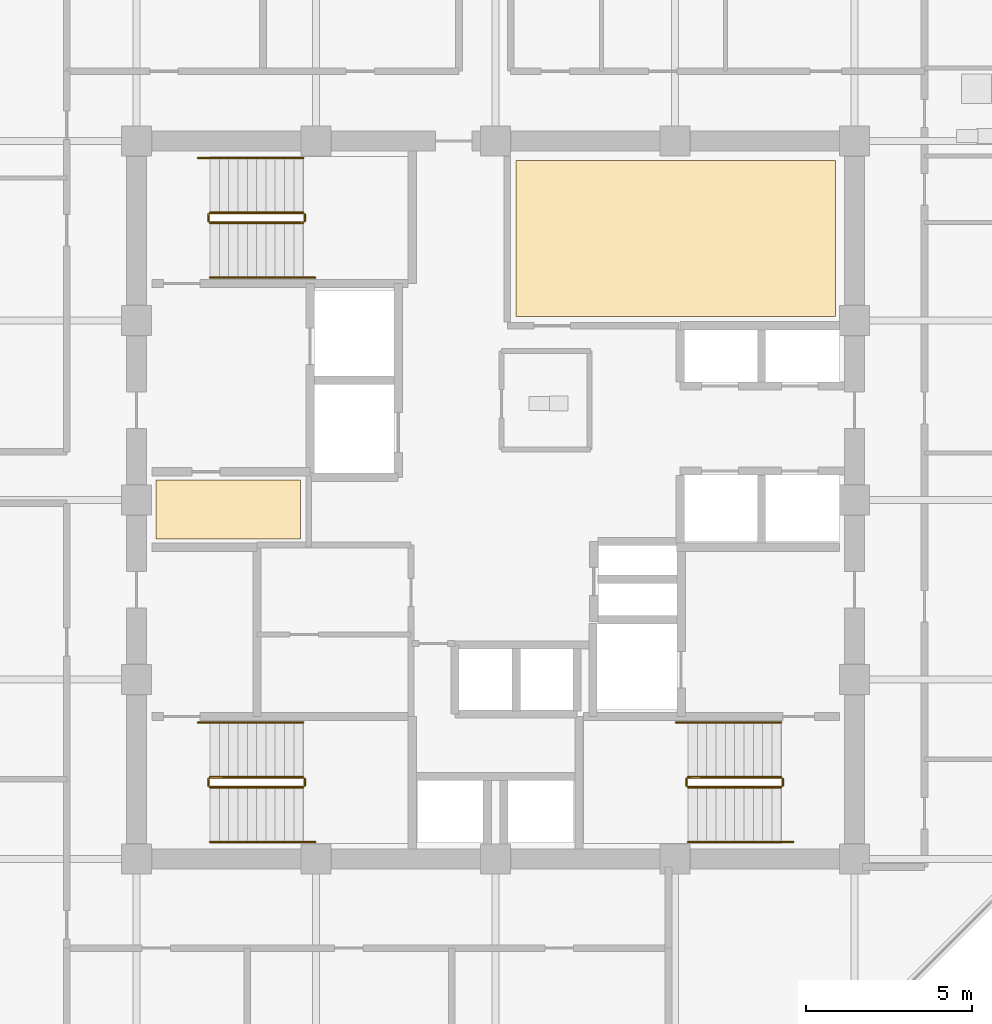
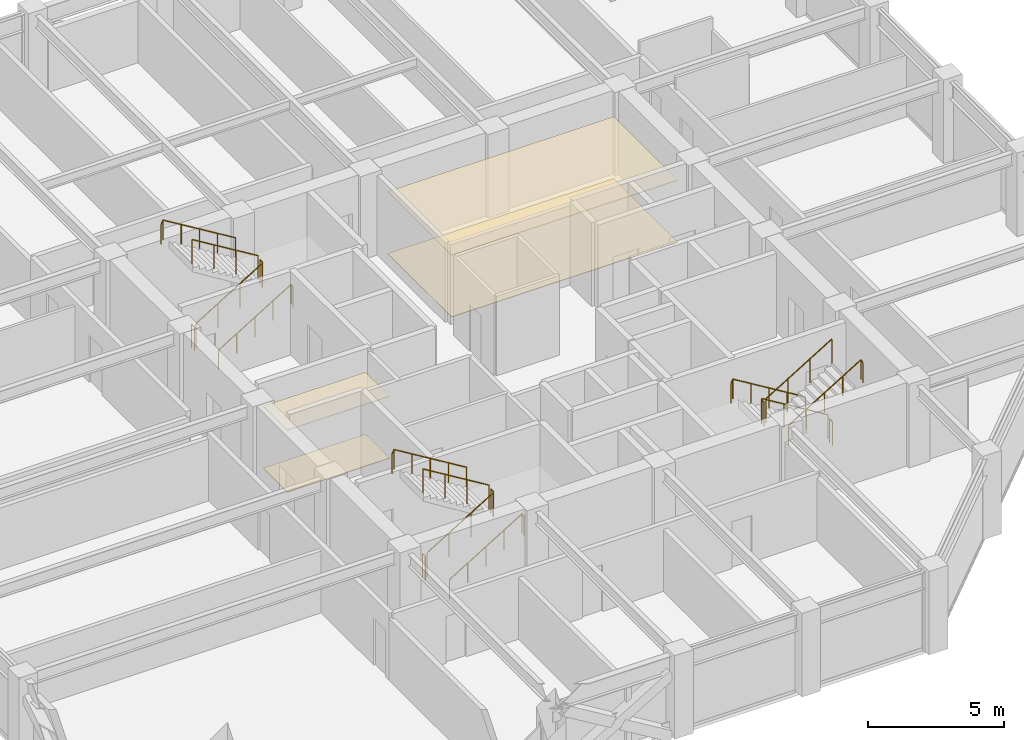
# One storey, part 31 of 32: 18 railings, 4 coverings.
"""IFC4 building model written with IfcOpenShell, lengths in metres."""

from ifc_helpers import new_model, si_unit, direction, frame, origin, origin_2d, place, context, subcontext, project, spatial, polyline, circle, outline, extrude, material, layer, layer_set, type_object, element, save


model = new_model("IFC4")

# Units and contexts
model_context = context("Model", 3, precision=1e-05, world=origin(), true_north=direction((0.0, 1.0)))
body_context = subcontext(model_context, "Body", "Model", "MODEL_VIEW")
ifc_project = project(units=[si_unit("LENGTHUNIT", "METRE"), si_unit("AREAUNIT", "SQUARE_METRE"), si_unit("VOLUMEUNIT", "CUBIC_METRE"), si_unit("PLANEANGLEUNIT", "RADIAN"), si_unit("MASSUNIT", "GRAM", prefix="KILO")], contexts=[model_context])

# Site, building, storey
site_placement = place(None, origin())
site = spatial("IfcSite", under=ifc_project, at=site_placement, CompositionType="ELEMENT")
building_placement = place(site_placement, origin())
building = spatial("IfcBuilding", under=site, at=building_placement, Name="Surkhivell Harbour Commons", CompositionType="ELEMENT")
storey_placement = place(building_placement, frame((0.0, 0.0, 223.5)))
storey = spatial("IfcBuildingStorey", under=building, at=storey_placement, Name="L58", CompositionType="ELEMENT", Elevation=223.5)

# Coverings
ifc_material_1 = material(Name="Perforated acoustic mineral-fibre ceiling tile", Category="other")
ifc_layer_1 = layer(ifc_material_1, 0.02490234375)
ifc_layer_set_1 = layer_set([ifc_layer_1], Name="Perforated acoustic mineral-fibre ceiling tile")
covering_type_1 = type_object("IfcCoveringType", Name="COV-CEIL-AC", PredefinedType="CEILING", material=ifc_layer_set_1)
covering_1_placement = place(storey_placement, frame((0.0, 0.0, 2.77490234375)))
element("IfcCovering", 1, at=covering_1_placement, inside=storey, type_object=covering_type_1, Name="L58 Suspended Acoustic Ceiling 1", PredefinedType="CEILING", context=body_context, shape_type="SweptSolid", body=[
    extrude(outline(polyline([(-10.219970703125, -1.179931640625), (-5.8701171875, -1.179931640625), (-5.8701171875, 0.60009765625), (-10.219970703125, 0.60009765625), (-10.219970703125, -1.179931640625)])), origin(), (0.0, 0.0, 1.0), 0.025146484375),
])
ifc_material_2 = material(Name="Moisture-resistant gypsum acoustic ceiling board", Category="other")
ifc_layer_2 = layer(ifc_material_2, 0.030029296875)
ifc_layer_set_2 = layer_set([ifc_layer_2], Name="Moisture-resistant gypsum acoustic ceiling board")
covering_type_2 = type_object("IfcCoveringType", Name="COV-CEIL-GYP", PredefinedType="CEILING", material=ifc_layer_set_2)
covering_2_placement = place(storey_placement, frame((0.0, 0.0, 2.77001953125)))
element("IfcCovering", 2, at=covering_2_placement, inside=storey, type_object=covering_type_2, Name="L58 Suspended Acoustic Ceiling 2", PredefinedType="CEILING", context=body_context, shape_type="SweptSolid", body=[
    extrude(outline(polyline([(0.6201171875, 5.52001953125), (10.219970703125, 5.52001953125), (10.219970703125, 10.219970703125), (0.6201171875, 10.219970703125), (0.6201171875, 5.52001953125)])), origin(), (0.0, 0.0, 1.0), 0.030029296875),
])
ifc_material_3 = material(Name="Engineered acoustic oak timber flooring", Category="wood")
ifc_layer_3 = layer(ifc_material_3, 0.02001953125)
ifc_layer_set_3 = layer_set([ifc_layer_3], Name="Engineered acoustic oak timber flooring")
covering_type_3 = type_object("IfcCoveringType", Name="COV-FLR-TIM", PredefinedType="FLOORING", material=ifc_layer_set_3)
covering_3_placement = place(storey_placement, origin())
element("IfcCovering", 3, at=covering_3_placement, inside=storey, type_object=covering_type_3, Name="L58 Interior Floor Finish 1", PredefinedType="FLOORING", context=body_context, shape_type="SweptSolid", body=[
    extrude(outline(polyline([(-10.219970703125, -1.179931640625), (-5.8701171875, -1.179931640625), (-5.8701171875, 0.60009765625), (-10.219970703125, 0.60009765625), (-10.219970703125, -1.179931640625)])), origin(), (0.0, 0.0, 1.0), 0.02001953125),
])
covering_4_placement = place(storey_placement, origin())
element("IfcCovering", 4, at=covering_4_placement, inside=storey, type_object=covering_type_3, Name="L58 Interior Floor Finish 2", PredefinedType="FLOORING", context=body_context, shape_type="SweptSolid", body=[
    extrude(outline(polyline([(0.6201171875, 5.52001953125), (10.219970703125, 5.52001953125), (10.219970703125, 10.219970703125), (0.6201171875, 10.219970703125), (0.6201171875, 5.52001953125)])), origin(), (0.0, 0.0, 1.0), 0.02001953125),
])

# Railings
ifc_material_4 = material(Name="Galvanised and painted steel S355 guard rail", Category="steel")
railing_type_1 = type_object("IfcRailingType", Name="RAL-ST-GRD1100", PredefinedType="GUARDRAIL", material=ifc_material_4)
railing_1_placement = place(storey_placement, frame((-8.590087890625, 8.340087890625, 0.17041015625)))
element("IfcRailing", 5, at=railing_1_placement, inside=storey, type_object=railing_type_1, Name="L58 ST1 stair guard 1", PredefinedType="GUARDRAIL", context=body_context, shape_type="SweptSolid", body=[
    extrude(circle(Radius=0.02392578125, at=origin_2d()), frame((0.0, 0.0, 1.076171875), z_axis=(0.854169791009, 0.0, 0.51999420009), x_axis=(0.0, 1.0, 0.0)), (0.0, 0.0, 1.0), 3.278076171875),
    extrude(circle(Radius=0.02099609375, at=origin_2d()), origin(), (0.0, 0.0, 1.0), 1.052001953125),
    extrude(circle(Radius=0.02099609375, at=origin_2d()), frame((0.933349609375, 0.0, 0.568115234375)), (0.0, 0.0, 1.0), 1.052001953125),
    extrude(circle(Radius=0.02099609375, at=origin_2d()), frame((1.86669921875, 0.0, 1.136474609375)), (0.0, 0.0, 1.0), 1.052001953125),
    extrude(circle(Radius=0.02099609375, at=origin_2d()), frame((2.800048828125, 0.0, 1.70458984375)), (0.0, 0.0, 1.0), 1.052001953125),
])
railing_2_placement = place(storey_placement, frame((-5.739990234375, 8.389892578125, 1.875)))
element("IfcRailing", 6, at=railing_2_placement, inside=storey, type_object=railing_type_1, Name="L58 ST1 stair guard 2", PredefinedType="GUARDRAIL", context=body_context, shape_type="SweptSolid", body=[
    extrude(circle(Radius=0.02392578125, at=origin_2d()), frame((0.0, 0.0, 1.076171875), z_axis=(0.0, 1.0, 0.0), x_axis=(-1.0, 0.0, 0.0)), (0.0, 0.0, 1.0), 0.2001953125),
    extrude(circle(Radius=0.02099609375, at=origin_2d()), origin(), (0.0, 0.0, 1.0), 1.052001953125),
    extrude(circle(Radius=0.02099609375, at=origin_2d()), frame((0.0, 0.2001953125, 0.0)), (0.0, 0.0, 1.0), 1.052001953125),
])
railing_3_placement = place(storey_placement, frame((-5.7900390625, 8.639892578125, 2.04541015625)))
element("IfcRailing", 7, at=railing_3_placement, inside=storey, type_object=railing_type_1, Name="L58 ST1 stair guard 3", PredefinedType="GUARDRAIL", context=body_context, shape_type="SweptSolid", body=[
    extrude(circle(Radius=0.02392578125, at=origin_2d()), frame((0.0, 0.0, 1.076171875), z_axis=(-0.854169791009, 0.0, 0.51999420009), x_axis=(0.0, -1.0, 0.0)), (0.0, 0.0, 1.0), 3.278076171875),
    extrude(circle(Radius=0.02099609375, at=origin_2d()), origin(), (0.0, 0.0, 1.0), 1.052001953125),
    extrude(circle(Radius=0.02099609375, at=origin_2d()), frame((-0.933349609375, 0.0, 0.568115234375)), (0.0, 0.0, 1.0), 1.052001953125),
    extrude(circle(Radius=0.02099609375, at=origin_2d()), frame((-1.86669921875, 0.0, 1.136474609375)), (0.0, 0.0, 1.0), 1.052001953125),
    extrude(circle(Radius=0.02099609375, at=origin_2d()), frame((-2.800048828125, 0.0, 1.70458984375)), (0.0, 0.0, 1.0), 1.052001953125),
])
railing_4_placement = place(storey_placement, frame((-8.639892578125, 8.389892578125, 0.0)))
element("IfcRailing", 8, at=railing_4_placement, inside=storey, type_object=railing_type_1, Name="L58 ST1 stair guard 4", PredefinedType="GUARDRAIL", context=body_context, shape_type="SweptSolid", body=[
    extrude(circle(Radius=0.02392578125, at=origin_2d()), frame((0.0, 0.0, 1.076171875), z_axis=(0.0, 1.0, 0.0), x_axis=(-1.0, 0.0, 0.0)), (0.0, 0.0, 1.0), 0.2001953125),
    extrude(circle(Radius=0.02099609375, at=origin_2d()), origin(), (0.0, 0.0, 1.0), 1.052001953125),
    extrude(circle(Radius=0.02099609375, at=origin_2d()), frame((0.0, 0.2001953125, 0.0)), (0.0, 0.0, 1.0), 1.052001953125),
])
railing_5_placement = place(storey_placement, frame((8.590087890625, -8.340087890625, 0.17041015625)))
element("IfcRailing", 9, at=railing_5_placement, inside=storey, type_object=railing_type_1, Name="L58 ST2 stair guard 1", PredefinedType="GUARDRAIL", context=body_context, shape_type="SweptSolid", body=[
    extrude(circle(Radius=0.02392578125, at=origin_2d()), frame((0.0, 0.0, 1.076171875), z_axis=(-0.854169791009, 0.0, 0.51999420009), x_axis=(0.0, -1.0, 0.0)), (0.0, 0.0, 1.0), 3.278076171875),
    extrude(circle(Radius=0.02099609375, at=origin_2d()), origin(), (0.0, 0.0, 1.0), 1.052001953125),
    extrude(circle(Radius=0.02099609375, at=origin_2d()), frame((-0.933349609375, 0.0, 0.568115234375)), (0.0, 0.0, 1.0), 1.052001953125),
    extrude(circle(Radius=0.02099609375, at=origin_2d()), frame((-1.86669921875, 0.0, 1.136474609375)), (0.0, 0.0, 1.0), 1.052001953125),
    extrude(circle(Radius=0.02099609375, at=origin_2d()), frame((-2.800048828125, 0.0, 1.70458984375)), (0.0, 0.0, 1.0), 1.052001953125),
])
railing_6_placement = place(storey_placement, frame((5.739990234375, -8.389892578125, 1.875)))
element("IfcRailing", 10, at=railing_6_placement, inside=storey, type_object=railing_type_1, Name="L58 ST2 stair guard 2", PredefinedType="GUARDRAIL", context=body_context, shape_type="SweptSolid", body=[
    extrude(circle(Radius=0.02392578125, at=origin_2d()), frame((0.0, 0.0, 1.076171875), z_axis=(0.0, -1.0, 0.0), x_axis=(1.0, 0.0, 0.0)), (0.0, 0.0, 1.0), 0.2001953125),
    extrude(circle(Radius=0.02099609375, at=origin_2d()), origin(), (0.0, 0.0, 1.0), 1.052001953125),
    extrude(circle(Radius=0.02099609375, at=origin_2d()), frame((0.0, -0.2001953125, 0.0)), (0.0, 0.0, 1.0), 1.052001953125),
])
railing_7_placement = place(storey_placement, frame((5.7900390625, -8.639892578125, 2.04541015625)))
element("IfcRailing", 11, at=railing_7_placement, inside=storey, type_object=railing_type_1, Name="L58 ST2 stair guard 3", PredefinedType="GUARDRAIL", context=body_context, shape_type="SweptSolid", body=[
    extrude(circle(Radius=0.02392578125, at=origin_2d()), frame((0.0, 0.0, 1.076171875), z_axis=(0.854169791009, 0.0, 0.51999420009), x_axis=(0.0, 1.0, 0.0)), (0.0, 0.0, 1.0), 3.278076171875),
    extrude(circle(Radius=0.02099609375, at=origin_2d()), origin(), (0.0, 0.0, 1.0), 1.052001953125),
    extrude(circle(Radius=0.02099609375, at=origin_2d()), frame((0.933349609375, 0.0, 0.568115234375)), (0.0, 0.0, 1.0), 1.052001953125),
    extrude(circle(Radius=0.02099609375, at=origin_2d()), frame((1.86669921875, 0.0, 1.136474609375)), (0.0, 0.0, 1.0), 1.052001953125),
    extrude(circle(Radius=0.02099609375, at=origin_2d()), frame((2.800048828125, 0.0, 1.70458984375)), (0.0, 0.0, 1.0), 1.052001953125),
])
railing_8_placement = place(storey_placement, frame((8.639892578125, -8.389892578125, 0.0)))
element("IfcRailing", 12, at=railing_8_placement, inside=storey, type_object=railing_type_1, Name="L58 ST2 stair guard 4", PredefinedType="GUARDRAIL", context=body_context, shape_type="SweptSolid", body=[
    extrude(circle(Radius=0.02392578125, at=origin_2d()), frame((0.0, 0.0, 1.076171875), z_axis=(0.0, -1.0, 0.0), x_axis=(1.0, 0.0, 0.0)), (0.0, 0.0, 1.0), 0.2001953125),
    extrude(circle(Radius=0.02099609375, at=origin_2d()), origin(), (0.0, 0.0, 1.0), 1.052001953125),
    extrude(circle(Radius=0.02099609375, at=origin_2d()), frame((0.0, -0.2001953125, 0.0)), (0.0, 0.0, 1.0), 1.052001953125),
])
railing_9_placement = place(storey_placement, frame((-8.590087890625, -8.639892578125, 0.17041015625)))
element("IfcRailing", 13, at=railing_9_placement, inside=storey, type_object=railing_type_1, Name="L58 ST3 stair guard 1", PredefinedType="GUARDRAIL", context=body_context, shape_type="SweptSolid", body=[
    extrude(circle(Radius=0.02392578125, at=origin_2d()), frame((0.0, 0.0, 1.076171875), z_axis=(0.854169791009, 0.0, 0.51999420009), x_axis=(0.0, 1.0, 0.0)), (0.0, 0.0, 1.0), 3.278076171875),
    extrude(circle(Radius=0.02099609375, at=origin_2d()), origin(), (0.0, 0.0, 1.0), 1.052001953125),
    extrude(circle(Radius=0.02099609375, at=origin_2d()), frame((0.933349609375, 0.0, 0.568115234375)), (0.0, 0.0, 1.0), 1.052001953125),
    extrude(circle(Radius=0.02099609375, at=origin_2d()), frame((1.86669921875, 0.0, 1.136474609375)), (0.0, 0.0, 1.0), 1.052001953125),
    extrude(circle(Radius=0.02099609375, at=origin_2d()), frame((2.800048828125, 0.0, 1.70458984375)), (0.0, 0.0, 1.0), 1.052001953125),
])
railing_10_placement = place(storey_placement, frame((-5.739990234375, -8.590087890625, 1.875)))
element("IfcRailing", 14, at=railing_10_placement, inside=storey, type_object=railing_type_1, Name="L58 ST3 stair guard 2", PredefinedType="GUARDRAIL", context=body_context, shape_type="SweptSolid", body=[
    extrude(circle(Radius=0.02392578125, at=origin_2d()), frame((0.0, 0.0, 1.076171875), z_axis=(0.0, 1.0, 0.0), x_axis=(-1.0, 0.0, 0.0)), (0.0, 0.0, 1.0), 0.2001953125),
    extrude(circle(Radius=0.02099609375, at=origin_2d()), origin(), (0.0, 0.0, 1.0), 1.052001953125),
    extrude(circle(Radius=0.02099609375, at=origin_2d()), frame((0.0, 0.2001953125, 0.0)), (0.0, 0.0, 1.0), 1.052001953125),
])
railing_11_placement = place(storey_placement, frame((-5.7900390625, -8.340087890625, 2.04541015625)))
element("IfcRailing", 15, at=railing_11_placement, inside=storey, type_object=railing_type_1, Name="L58 ST3 stair guard 3", PredefinedType="GUARDRAIL", context=body_context, shape_type="SweptSolid", body=[
    extrude(circle(Radius=0.02392578125, at=origin_2d()), frame((0.0, 0.0, 1.076171875), z_axis=(-0.854169791009, 0.0, 0.51999420009), x_axis=(0.0, -1.0, 0.0)), (0.0, 0.0, 1.0), 3.278076171875),
    extrude(circle(Radius=0.02099609375, at=origin_2d()), origin(), (0.0, 0.0, 1.0), 1.052001953125),
    extrude(circle(Radius=0.02099609375, at=origin_2d()), frame((-0.933349609375, 0.0, 0.568115234375)), (0.0, 0.0, 1.0), 1.052001953125),
    extrude(circle(Radius=0.02099609375, at=origin_2d()), frame((-1.86669921875, 0.0, 1.136474609375)), (0.0, 0.0, 1.0), 1.052001953125),
    extrude(circle(Radius=0.02099609375, at=origin_2d()), frame((-2.800048828125, 0.0, 1.70458984375)), (0.0, 0.0, 1.0), 1.052001953125),
])
railing_12_placement = place(storey_placement, frame((-8.639892578125, -8.590087890625, 0.0)))
element("IfcRailing", 16, at=railing_12_placement, inside=storey, type_object=railing_type_1, Name="L58 ST3 stair guard 4", PredefinedType="GUARDRAIL", context=body_context, shape_type="SweptSolid", body=[
    extrude(circle(Radius=0.02392578125, at=origin_2d()), frame((0.0, 0.0, 1.076171875), z_axis=(0.0, 1.0, 0.0), x_axis=(-1.0, 0.0, 0.0)), (0.0, 0.0, 1.0), 0.2001953125),
    extrude(circle(Radius=0.02099609375, at=origin_2d()), origin(), (0.0, 0.0, 1.0), 1.052001953125),
    extrude(circle(Radius=0.02099609375, at=origin_2d()), frame((0.0, 0.2001953125, 0.0)), (0.0, 0.0, 1.0), 1.052001953125),
])
ifc_material_5 = material(Name="Brushed stainless steel S355 handrail", Category="steel")
railing_type_2 = type_object("IfcRailingType", Name="RAL-ST-HND900", PredefinedType="HANDRAIL", material=ifc_material_5)
railing_13_placement = place(storey_placement, frame((-8.590087890625, 6.68994140625, 0.17041015625)))
element("IfcRailing", 17, at=railing_13_placement, inside=storey, type_object=railing_type_2, Name="L58 ST1 stair handrail 1", PredefinedType="HANDRAIL", context=body_context, shape_type="SweptSolid", body=[
    extrude(circle(Radius=0.02392578125, at=origin_2d()), frame((0.0, 0.0, 0.8759765625), z_axis=(0.854177636135, 0.0, 0.519981313056), x_axis=(0.0, 1.0, 0.0)), (0.0, 0.0, 1.0), 3.60595703125),
    extrude(circle(Radius=0.02392578125, at=origin_2d()), frame((3.080078125, 0.0, 2.7509765625), z_axis=(0.425297416671, 0.0, -0.905053648892), x_axis=(0.0, 1.0, 0.0)), (0.0, 0.0, 1.0), 0.188232421875),
    extrude(circle(Radius=0.02099609375, at=origin_2d()), origin(), (0.0, 0.0, 1.0), 0.851806640625),
    extrude(circle(Radius=0.02099609375, at=origin_2d()), frame((0.77001953125, 0.0, 0.46875)), (0.0, 0.0, 1.0), 0.851806640625),
    extrude(circle(Radius=0.02099609375, at=origin_2d()), frame((1.5400390625, 0.0, 0.9375)), (0.0, 0.0, 1.0), 0.851806640625),
    extrude(circle(Radius=0.02099609375, at=origin_2d()), frame((2.31005859375, 0.0, 1.40625)), (0.0, 0.0, 1.0), 0.851806640625),
    extrude(circle(Radius=0.02099609375, at=origin_2d()), frame((3.080078125, 0.0, 1.875)), (0.0, 0.0, 1.0), 0.851806640625),
    extrude(circle(Radius=0.02099609375, at=origin_2d()), frame((3.16015625, 0.0, 1.70458984375)), (0.0, 0.0, 1.0), 0.851806640625),
])
railing_14_placement = place(storey_placement, frame((-5.7900390625, 10.2900390625, 2.04541015625)))
element("IfcRailing", 18, at=railing_14_placement, inside=storey, type_object=railing_type_2, Name="L58 ST1 stair handrail 2", PredefinedType="HANDRAIL", context=body_context, shape_type="SweptSolid", body=[
    extrude(circle(Radius=0.02392578125, at=origin_2d()), frame((0.0, 0.0, 0.8759765625), z_axis=(-0.854177636135, 0.0, 0.519981313056), x_axis=(0.0, -1.0, 0.0)), (0.0, 0.0, 1.0), 3.60595703125),
    extrude(circle(Radius=0.02392578125, at=origin_2d()), frame((-3.080078125, 0.0, 2.7509765625), z_axis=(-0.424234432967, 0.0, -0.905552398199), x_axis=(0.0, -1.0, 0.0)), (0.0, 0.0, 1.0), 0.188232421875),
    extrude(circle(Radius=0.02099609375, at=origin_2d()), origin(), (0.0, 0.0, 1.0), 0.851806640625),
    extrude(circle(Radius=0.02099609375, at=origin_2d()), frame((-0.77001953125, 0.0, 0.46875)), (0.0, 0.0, 1.0), 0.851806640625),
    extrude(circle(Radius=0.02099609375, at=origin_2d()), frame((-1.5400390625, 0.0, 0.9375)), (0.0, 0.0, 1.0), 0.851806640625),
    extrude(circle(Radius=0.02099609375, at=origin_2d()), frame((-2.31005859375, 0.0, 1.40625)), (0.0, 0.0, 1.0), 0.851806640625),
    extrude(circle(Radius=0.02099609375, at=origin_2d()), frame((-3.080078125, 0.0, 1.875)), (0.0, 0.0, 1.0), 0.851806640625),
    extrude(circle(Radius=0.02099609375, at=origin_2d()), frame((-3.159912109375, 0.0, 1.70458984375)), (0.0, 0.0, 1.0), 0.851806640625),
])
railing_15_placement = place(storey_placement, frame((8.590087890625, -6.68994140625, 0.17041015625)))
element("IfcRailing", 19, at=railing_15_placement, inside=storey, type_object=railing_type_2, Name="L58 ST2 stair handrail 1", PredefinedType="HANDRAIL", context=body_context, shape_type="SweptSolid", body=[
    extrude(circle(Radius=0.02392578125, at=origin_2d()), frame((0.0, 0.0, 0.8759765625), z_axis=(-0.854177636135, 0.0, 0.519981313056), x_axis=(0.0, -1.0, 0.0)), (0.0, 0.0, 1.0), 3.60595703125),
    extrude(circle(Radius=0.02392578125, at=origin_2d()), frame((-3.080078125, 0.0, 2.7509765625), z_axis=(-0.425297416671, 0.0, -0.905053648892), x_axis=(0.0, -1.0, 0.0)), (0.0, 0.0, 1.0), 0.188232421875),
    extrude(circle(Radius=0.02099609375, at=origin_2d()), origin(), (0.0, 0.0, 1.0), 0.851806640625),
    extrude(circle(Radius=0.02099609375, at=origin_2d()), frame((-0.77001953125, 0.0, 0.46875)), (0.0, 0.0, 1.0), 0.851806640625),
    extrude(circle(Radius=0.02099609375, at=origin_2d()), frame((-1.5400390625, 0.0, 0.9375)), (0.0, 0.0, 1.0), 0.851806640625),
    extrude(circle(Radius=0.02099609375, at=origin_2d()), frame((-2.31005859375, 0.0, 1.40625)), (0.0, 0.0, 1.0), 0.851806640625),
    extrude(circle(Radius=0.02099609375, at=origin_2d()), frame((-3.080078125, 0.0, 1.875)), (0.0, 0.0, 1.0), 0.851806640625),
    extrude(circle(Radius=0.02099609375, at=origin_2d()), frame((-3.16015625, 0.0, 1.70458984375)), (0.0, 0.0, 1.0), 0.851806640625),
])
railing_16_placement = place(storey_placement, frame((5.7900390625, -10.2900390625, 2.04541015625)))
element("IfcRailing", 20, at=railing_16_placement, inside=storey, type_object=railing_type_2, Name="L58 ST2 stair handrail 2", PredefinedType="HANDRAIL", context=body_context, shape_type="SweptSolid", body=[
    extrude(circle(Radius=0.02392578125, at=origin_2d()), frame((0.0, 0.0, 0.8759765625), z_axis=(0.854177636135, 0.0, 0.519981313056), x_axis=(0.0, 1.0, 0.0)), (0.0, 0.0, 1.0), 3.60595703125),
    extrude(circle(Radius=0.02392578125, at=origin_2d()), frame((3.080078125, 0.0, 2.7509765625), z_axis=(0.424234432967, 0.0, -0.905552398199), x_axis=(0.0, 1.0, 0.0)), (0.0, 0.0, 1.0), 0.188232421875),
    extrude(circle(Radius=0.02099609375, at=origin_2d()), origin(), (0.0, 0.0, 1.0), 0.851806640625),
    extrude(circle(Radius=0.02099609375, at=origin_2d()), frame((0.77001953125, 0.0, 0.46875)), (0.0, 0.0, 1.0), 0.851806640625),
    extrude(circle(Radius=0.02099609375, at=origin_2d()), frame((1.5400390625, 0.0, 0.9375)), (0.0, 0.0, 1.0), 0.851806640625),
    extrude(circle(Radius=0.02099609375, at=origin_2d()), frame((2.31005859375, 0.0, 1.40625)), (0.0, 0.0, 1.0), 0.851806640625),
    extrude(circle(Radius=0.02099609375, at=origin_2d()), frame((3.080078125, 0.0, 1.875)), (0.0, 0.0, 1.0), 0.851806640625),
    extrude(circle(Radius=0.02099609375, at=origin_2d()), frame((3.159912109375, 0.0, 1.70458984375)), (0.0, 0.0, 1.0), 0.851806640625),
])
railing_17_placement = place(storey_placement, frame((-8.590087890625, -10.2900390625, 0.17041015625)))
element("IfcRailing", 21, at=railing_17_placement, inside=storey, type_object=railing_type_2, Name="L58 ST3 stair handrail 1", PredefinedType="HANDRAIL", context=body_context, shape_type="SweptSolid", body=[
    extrude(circle(Radius=0.02392578125, at=origin_2d()), frame((0.0, 0.0, 0.8759765625), z_axis=(0.854177636135, 0.0, 0.519981313056), x_axis=(0.0, 1.0, 0.0)), (0.0, 0.0, 1.0), 3.60595703125),
    extrude(circle(Radius=0.02392578125, at=origin_2d()), frame((3.080078125, 0.0, 2.7509765625), z_axis=(0.425297416671, 0.0, -0.905053648892), x_axis=(0.0, 1.0, 0.0)), (0.0, 0.0, 1.0), 0.188232421875),
    extrude(circle(Radius=0.02099609375, at=origin_2d()), origin(), (0.0, 0.0, 1.0), 0.851806640625),
    extrude(circle(Radius=0.02099609375, at=origin_2d()), frame((0.77001953125, 0.0, 0.46875)), (0.0, 0.0, 1.0), 0.851806640625),
    extrude(circle(Radius=0.02099609375, at=origin_2d()), frame((1.5400390625, 0.0, 0.9375)), (0.0, 0.0, 1.0), 0.851806640625),
    extrude(circle(Radius=0.02099609375, at=origin_2d()), frame((2.31005859375, 0.0, 1.40625)), (0.0, 0.0, 1.0), 0.851806640625),
    extrude(circle(Radius=0.02099609375, at=origin_2d()), frame((3.080078125, 0.0, 1.875)), (0.0, 0.0, 1.0), 0.851806640625),
    extrude(circle(Radius=0.02099609375, at=origin_2d()), frame((3.16015625, 0.0, 1.70458984375)), (0.0, 0.0, 1.0), 0.851806640625),
])
railing_18_placement = place(storey_placement, frame((-5.7900390625, -6.68994140625, 2.04541015625)))
element("IfcRailing", 22, at=railing_18_placement, inside=storey, type_object=railing_type_2, Name="L58 ST3 stair handrail 2", PredefinedType="HANDRAIL", context=body_context, shape_type="SweptSolid", body=[
    extrude(circle(Radius=0.02392578125, at=origin_2d()), frame((0.0, 0.0, 0.8759765625), z_axis=(-0.854177636135, 0.0, 0.519981313056), x_axis=(0.0, -1.0, 0.0)), (0.0, 0.0, 1.0), 3.60595703125),
    extrude(circle(Radius=0.02392578125, at=origin_2d()), frame((-3.080078125, 0.0, 2.7509765625), z_axis=(-0.424234432967, 0.0, -0.905552398199), x_axis=(0.0, -1.0, 0.0)), (0.0, 0.0, 1.0), 0.188232421875),
    extrude(circle(Radius=0.02099609375, at=origin_2d()), origin(), (0.0, 0.0, 1.0), 0.851806640625),
    extrude(circle(Radius=0.02099609375, at=origin_2d()), frame((-0.77001953125, 0.0, 0.46875)), (0.0, 0.0, 1.0), 0.851806640625),
    extrude(circle(Radius=0.02099609375, at=origin_2d()), frame((-1.5400390625, 0.0, 0.9375)), (0.0, 0.0, 1.0), 0.851806640625),
    extrude(circle(Radius=0.02099609375, at=origin_2d()), frame((-2.31005859375, 0.0, 1.40625)), (0.0, 0.0, 1.0), 0.851806640625),
    extrude(circle(Radius=0.02099609375, at=origin_2d()), frame((-3.080078125, 0.0, 1.875)), (0.0, 0.0, 1.0), 0.851806640625),
    extrude(circle(Radius=0.02099609375, at=origin_2d()), frame((-3.159912109375, 0.0, 1.70458984375)), (0.0, 0.0, 1.0), 0.851806640625),
])

save(model, "model.ifc")
